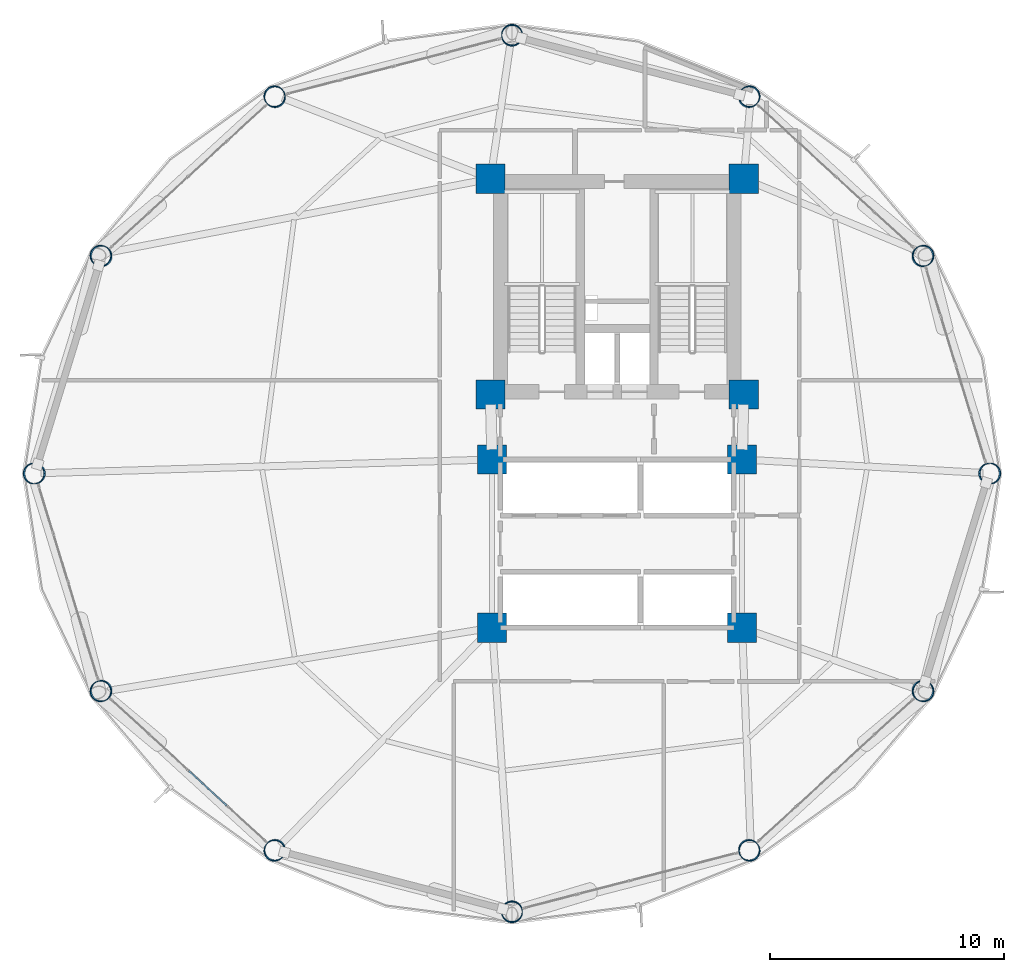
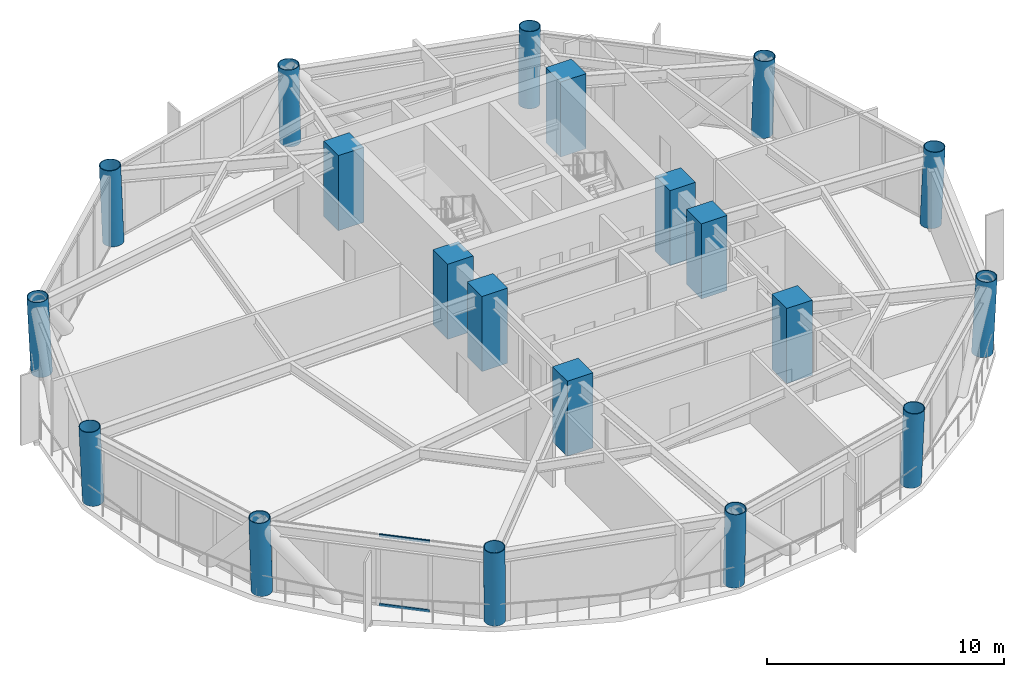
# One storey, part 1 of 25: 20 columns, 2 members, 1 element without a shape of its own.
"""IFC4 building model written with IfcOpenShell, lengths in metres."""

from ifc_helpers import new_model, si_unit, direction, frame, origin, origin_2d, place, context, subcontext, project, spatial, rectangle, hollow_rectangle, hollow_circle, extrude, material, layer, layer_set, material_profile, profile_set, type_object, element, aggregate, save


model = new_model("IFC4")

# Units and contexts
model_context = context("Model", 3, precision=1e-05, world=origin(), true_north=direction((0.0, 1.0)))
body_context = subcontext(model_context, "Body", "Model", "MODEL_VIEW")
ifc_project = project(units=[si_unit("LENGTHUNIT", "METRE"), si_unit("AREAUNIT", "SQUARE_METRE"), si_unit("VOLUMEUNIT", "CUBIC_METRE"), si_unit("PLANEANGLEUNIT", "RADIAN"), si_unit("MASSUNIT", "GRAM", prefix="KILO")], contexts=[model_context])

# Site, building, storey
site_placement = place(None, origin())
site = spatial("IfcSite", under=ifc_project, at=site_placement, CompositionType="ELEMENT")
building_placement = place(site_placement, origin())
building = spatial("IfcBuilding", under=site, at=building_placement, Name="Varnakorn Sky Granary", CompositionType="ELEMENT")
storey_placement = place(building_placement, frame((0.0, 0.0, 35.39990234375)))
storey = spatial("IfcBuildingStorey", under=building, at=storey_placement, Name="L08", CompositionType="ELEMENT", Elevation=35.39990234375)

# Columns
ifc_material_1 = material(Name="Steel S460M", Category="steel")
ifc_material_profile_1 = material_profile(ifc_material_1, hollow_circle(Radius=0.45703125, WallThickness=0.031982421875, at=origin_2d()), Name="CHS 914x32")
ifc_profile_set_1 = profile_set([ifc_material_profile_1], Name="Steel S460M")
column_type_1 = type_object("IfcColumnType", Name="COL-DC-Z1", PredefinedType="COLUMN", material=ifc_profile_set_1)
column_1_placement = place(storey_placement, frame((18.924072265625, 0.0, 0.0), z_axis=(0.046886382967, 0.0, 0.998900228798), x_axis=(0.0, 1.0, 0.0)))
element("IfcColumn", 1, at=column_1_placement, inside=storey, type_object=column_type_1, Name="Drum Perimeter Column DC01 L08", PredefinedType="COLUMN", context=body_context, shape_type="SweptSolid", body=[
    extrude(hollow_circle(Radius=0.45703125, WallThickness=0.031982421875, at=origin_2d()), origin(), (0.0, 0.0, 1.0), 3.879150390625),
])
column_2_placement = place(storey_placement, frame((16.07080078125, 9.302978515625, 0.0), z_axis=(0.040660113679, 0.018315933561, 0.999005145999), x_axis=(-0.410716762615, 0.91176298505, 0.0)))
element("IfcColumn", 2, at=column_2_placement, inside=storey, type_object=column_type_1, Name="Drum Perimeter Column DC02 L08", PredefinedType="COLUMN", context=body_context, shape_type="SweptSolid", body=[
    extrude(hollow_circle(Radius=0.45703125, WallThickness=0.031982421875, at=origin_2d()), origin(), (0.0, 0.0, 1.0), 3.87890625),
])
column_3_placement = place(storey_placement, frame((8.64453125, 16.11328125, 0.0), z_axis=(0.023482234975, 0.031666391936, 0.999222609964), x_axis=(-0.803245905257, 0.595647559962, 0.0)))
element("IfcColumn", 3, at=column_3_placement, inside=storey, type_object=column_type_1, Name="Drum Perimeter Column DC03 L08", PredefinedType="COLUMN", context=body_context, shape_type="SweptSolid", body=[
    extrude(hollow_circle(Radius=0.45703125, WallThickness=0.031982421875, at=origin_2d()), origin(), (0.0, 0.0, 1.0), 3.8779296875),
])
column_4_placement = place(storey_placement, frame((-1.5, 18.740966796875, 0.0), z_axis=(0.0, 0.036643720069, 0.999328393362), x_axis=(-1.0, 0.0, 0.0)))
element("IfcColumn", 4, at=column_4_placement, inside=storey, type_object=column_type_1, Name="Drum Perimeter Column DC04 L08", PredefinedType="COLUMN", context=body_context, shape_type="SweptSolid", body=[
    extrude(hollow_circle(Radius=0.45703125, WallThickness=0.031982421875, at=origin_2d()), origin(), (0.0, 0.0, 1.0), 3.877685546875),
])
column_5_placement = place(storey_placement, frame((-11.64453125, 16.11328125, 0.0), z_axis=(-0.023482234975, 0.031666391936, 0.999222609964), x_axis=(-0.803245905257, -0.595647559962, 0.0)))
element("IfcColumn", 5, at=column_5_placement, inside=storey, type_object=column_type_1, Name="Drum Perimeter Column DC05 L08", PredefinedType="COLUMN", context=body_context, shape_type="SweptSolid", body=[
    extrude(hollow_circle(Radius=0.45703125, WallThickness=0.031982421875, at=origin_2d()), origin(), (0.0, 0.0, 1.0), 3.8779296875),
])
column_6_placement = place(storey_placement, frame((-19.07080078125, 9.302978515625, 0.0), z_axis=(-0.040660113679, 0.018315933561, 0.999005145999), x_axis=(-0.410716762615, -0.91176298505, 0.0)))
element("IfcColumn", 6, at=column_6_placement, inside=storey, type_object=column_type_1, Name="Drum Perimeter Column DC06 L08", PredefinedType="COLUMN", context=body_context, shape_type="SweptSolid", body=[
    extrude(hollow_circle(Radius=0.45703125, WallThickness=0.031982421875, at=origin_2d()), origin(), (0.0, 0.0, 1.0), 3.87890625),
])
column_7_placement = place(storey_placement, frame((-21.924072265625, 0.0, 0.0), z_axis=(-0.046886382967, 0.0, 0.998900228798), x_axis=(0.0, -1.0, 0.0)))
element("IfcColumn", 7, at=column_7_placement, inside=storey, type_object=column_type_1, Name="Drum Perimeter Column DC07 L08", PredefinedType="COLUMN", context=body_context, shape_type="SweptSolid", body=[
    extrude(hollow_circle(Radius=0.45703125, WallThickness=0.031982421875, at=origin_2d()), origin(), (0.0, 0.0, 1.0), 3.879150390625),
])
column_8_placement = place(storey_placement, frame((-19.07080078125, -9.302978515625, 0.0), z_axis=(-0.040660113679, -0.018315933561, 0.999005145999), x_axis=(0.410716762615, -0.91176298505, 0.0)))
element("IfcColumn", 8, at=column_8_placement, inside=storey, type_object=column_type_1, Name="Drum Perimeter Column DC08 L08", PredefinedType="COLUMN", context=body_context, shape_type="SweptSolid", body=[
    extrude(hollow_circle(Radius=0.45703125, WallThickness=0.031982421875, at=origin_2d()), origin(), (0.0, 0.0, 1.0), 3.87890625),
])
column_9_placement = place(storey_placement, frame((-11.64453125, -16.11328125, 0.0), z_axis=(-0.023482234975, -0.031666391936, 0.999222609964), x_axis=(0.803245905257, -0.595647559962, 0.0)))
element("IfcColumn", 9, at=column_9_placement, inside=storey, type_object=column_type_1, Name="Drum Perimeter Column DC09 L08", PredefinedType="COLUMN", context=body_context, shape_type="SweptSolid", body=[
    extrude(hollow_circle(Radius=0.45703125, WallThickness=0.031982421875, at=origin_2d()), origin(), (0.0, 0.0, 1.0), 3.8779296875),
])
column_10_placement = place(storey_placement, frame((-1.5, -18.740966796875, 0.0), z_axis=(0.0, -0.036643720069, 0.999328393362), x_axis=(1.0, 0.0, 0.0)))
element("IfcColumn", 10, at=column_10_placement, inside=storey, type_object=column_type_1, Name="Drum Perimeter Column DC10 L08", PredefinedType="COLUMN", context=body_context, shape_type="SweptSolid", body=[
    extrude(hollow_circle(Radius=0.45703125, WallThickness=0.031982421875, at=origin_2d()), origin(), (0.0, 0.0, 1.0), 3.877685546875),
])
column_11_placement = place(storey_placement, frame((8.64453125, -16.11328125, 0.0), z_axis=(0.023482234975, -0.031666391936, 0.999222609964), x_axis=(0.803245905257, 0.595647559962, 0.0)))
element("IfcColumn", 11, at=column_11_placement, inside=storey, type_object=column_type_1, Name="Drum Perimeter Column DC11 L08", PredefinedType="COLUMN", context=body_context, shape_type="SweptSolid", body=[
    extrude(hollow_circle(Radius=0.45703125, WallThickness=0.031982421875, at=origin_2d()), origin(), (0.0, 0.0, 1.0), 3.8779296875),
])
column_12_placement = place(storey_placement, frame((16.07080078125, -9.302978515625, 0.0), z_axis=(0.040660113679, -0.018315933561, 0.999005145999), x_axis=(0.410716762615, 0.91176298505, 0.0)))
element("IfcColumn", 12, at=column_12_placement, inside=storey, type_object=column_type_1, Name="Drum Perimeter Column DC12 L08", PredefinedType="COLUMN", context=body_context, shape_type="SweptSolid", body=[
    extrude(hollow_circle(Radius=0.45703125, WallThickness=0.031982421875, at=origin_2d()), origin(), (0.0, 0.0, 1.0), 3.87890625),
])
ifc_material_2 = material(Name="Concrete C60/75", Category="concrete")
ifc_material_profile_2 = material_profile(ifc_material_2, rectangle(XDim=1.25, YDim=1.25, at=origin_2d()), Name="RC 1250x1250")
ifc_profile_set_2 = profile_set([ifc_material_profile_2], Name="Concrete C60/75")
column_type_2 = type_object("IfcColumnType", Name="COL-MC-Z1", PredefinedType="COLUMN", material=ifc_profile_set_2)
for number, where, z_axis, x_axis, name in (
    (13, (-2.419921875, 12.6201171875, 0.0), (0.0, 0.0, 1.0), (1.0, 0.0, 0.0), "Backbone Mega-Column MC1 L08"),
    (14, (8.419921875, 12.6201171875, 0.0), (0.0, 0.0, 1.0), (1.0, 0.0, 0.0), "Backbone Mega-Column MC2 L08"),
    (15, (-2.419921875, 3.3798828125, 0.0), (0.0, 0.0, 1.0), (1.0, 0.0, 0.0), "Backbone Mega-Column MC3 L08"),
    (16, (8.419921875, 3.3798828125, 0.0), (0.0, 0.0, 1.0), (1.0, 0.0, 0.0), "Backbone Mega-Column MC4 L08"),
    (17, (-2.35009765625, 0.60009765625, 0.0), (0.0, 0.0, 1.0), (1.0, 0.0, 0.0), "Backbone Mega-Column MC5 L08"),
    (18, (8.35009765625, 0.60009765625, 0.0), (0.0, 0.0, 1.0), (1.0, 0.0, 0.0), "Backbone Mega-Column MC6 L08"),
    (19, (-2.35009765625, -6.60009765625, 0.0), (0.0, 0.0, 1.0), (1.0, 0.0, 0.0), "Backbone Mega-Column MC7 L08"),
    (20, (8.35009765625, -6.60009765625, 0.0), (0.0, 0.0, 1.0), (1.0, 0.0, 0.0), "Backbone Mega-Column MC8 L08"),
):
    element("IfcColumn", number, at=place(storey_placement, frame(where, z_axis=z_axis, x_axis=x_axis)), inside=storey, type_object=column_type_2, Name=name, PredefinedType="COLUMN", context=body_context, shape_type="SweptSolid", body=[
        extrude(rectangle(XDim=1.25, YDim=1.25, at=origin_2d()), origin(), (0.0, 0.0, 1.0), 3.875),
    ])

# Curtain wall, members
ifc_material_3 = material(Name="Anodised Bronze Aluminium Alloy 6063-T6", Category="aluminium")
ifc_layer = layer(ifc_material_3, 0.18994140625, Name="Anodised Bronze Aluminium Alloy 6063-T6")
ifc_layer_set = layer_set([ifc_layer], Name="Anodised Bronze Aluminium Alloy 6063-T6")
curtain_wall_type = type_object("IfcCurtainWallType", Name="CW-FRM-1", PredefinedType="USERDEFINED", material=ifc_layer_set)
curtain_wall_placement = place(storey_placement, origin())
curtain_wall = element("IfcCurtainWall", 21, at=curtain_wall_placement, inside=storey, type_object=curtain_wall_type, Name="Unitised Curtain Wall CW3 CW-L08-B08", ObjectType="CURTAIN WALL", PredefinedType="USERDEFINED")
ifc_material_profile_3 = material_profile(ifc_material_3, hollow_rectangle(XDim=0.070068359375, YDim=0.139892578125, WallThickness=0.00341796875, at=origin_2d()), Name="ALU TRAN 70x140")
ifc_profile_set_3 = profile_set([ifc_material_profile_3], Name="Anodised Bronze Aluminium Alloy 6063-T6")
member_type = type_object("IfcMemberType", Name="CW-FRM-1-TRAN", PredefinedType="USERDEFINED", material=ifc_profile_set_3)
member_1_placement = place(storey_placement, frame((-13.71728515625, -14.21240234375, 0.03515625), z_axis=(-0.736982954511, 0.675911329066, 0.0), x_axis=(-0.675911329066, -0.736982954511, 0.0)))
member_1 = element("IfcMember", 22, at=member_1_placement, type_object=member_type, Name="CW3 transom 2.1", ObjectType="TRANSOM", PredefinedType="USERDEFINED", context=body_context, shape_type="SweptSolid", body=[
    extrude(hollow_rectangle(XDim=0.070068359375, YDim=0.139892578125, WallThickness=0.00341796875, at=origin_2d()), origin(), (0.0, 0.0, 1.0), 2.190673828125),
])
member_2_placement = place(storey_placement, frame((-13.71728515625, -14.21240234375, 3.60498046875), z_axis=(-0.736982954511, 0.675911329066, 0.0), x_axis=(-0.675911329066, -0.736982954511, 0.0)))
member_2 = element("IfcMember", 23, at=member_2_placement, type_object=member_type, Name="CW3 transom 2.2", ObjectType="TRANSOM", PredefinedType="USERDEFINED", context=body_context, shape_type="SweptSolid", body=[
    extrude(hollow_rectangle(XDim=0.070068359375, YDim=0.139892578125, WallThickness=0.00341796875, at=origin_2d()), origin(), (0.0, 0.0, 1.0), 2.190673828125),
])
aggregate(curtain_wall, [member_1, member_2])

save(model, "model.ifc")
